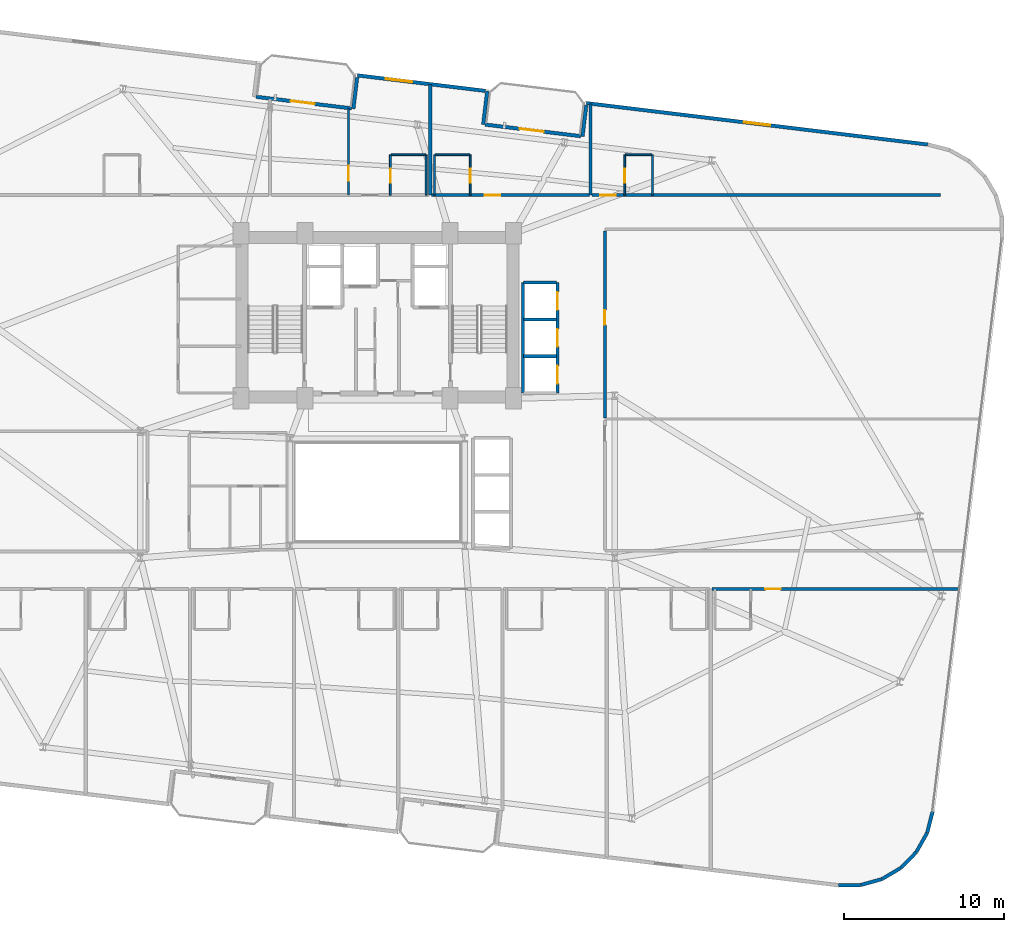
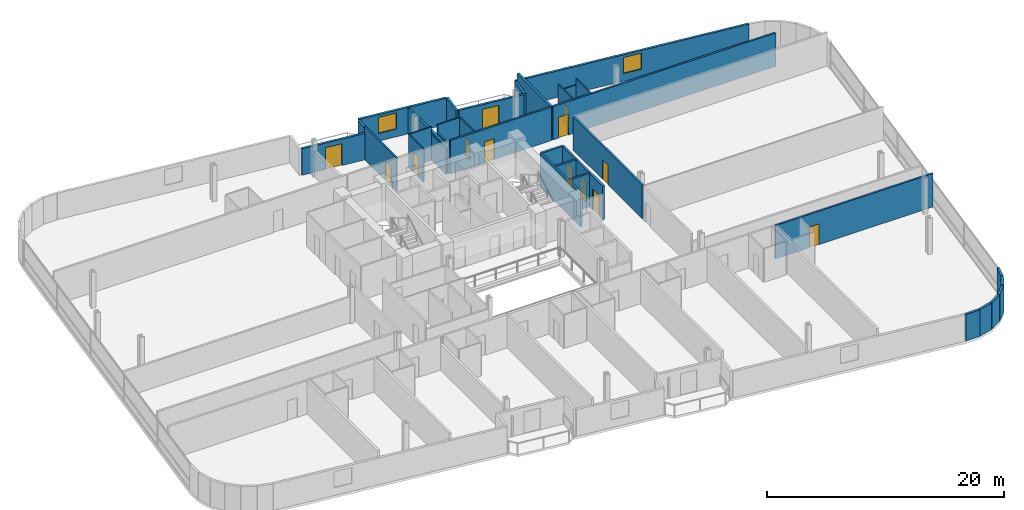
# One storey, part 23 of 26: 34 walls, 13 doors, 2 windows, 15 openings.
"""IFC4 building model written with IfcOpenShell, lengths in metres."""

from ifc_helpers import new_model, si_unit, direction, frame, frame_2d, origin, place, context, subcontext, project, spatial, rectangle, extrude, material, layer, layer_set, type_object, element, fill, save


model = new_model("IFC4")

# Units and contexts
model_context = context("Model", 3, precision=1e-05, world=origin(), true_north=direction((0.0, 1.0)))
body_context = subcontext(model_context, "Body", "Model", "MODEL_VIEW")
ifc_project = project(units=[si_unit("LENGTHUNIT", "METRE"), si_unit("AREAUNIT", "SQUARE_METRE"), si_unit("VOLUMEUNIT", "CUBIC_METRE"), si_unit("PLANEANGLEUNIT", "RADIAN"), si_unit("MASSUNIT", "GRAM", prefix="KILO")], contexts=[model_context])

# Site, building, storey
site_placement = place(None, origin())
site = spatial("IfcSite", under=ifc_project, at=site_placement, CompositionType="ELEMENT")
building_placement = place(site_placement, origin())
building = spatial("IfcBuilding", under=site, at=building_placement, Name="Varnelok Gate Tower", CompositionType="ELEMENT")
storey_placement = place(building_placement, frame((0.0, 0.0, 125.39990234375)))
storey = spatial("IfcBuildingStorey", under=building, at=storey_placement, Name="L31", CompositionType="ELEMENT", Elevation=125.39990234375)

# Wall, opening, door
ifc_material_1 = material(Name="Concrete C45/55", Category="concrete")
ifc_layer_1 = layer(ifc_material_1, 0.219970703125)
ifc_layer_set_1 = layer_set([ifc_layer_1], Name="Concrete C45/55")
wall_type_1 = type_object("IfcWallType", Name="EW-BALC-220", PredefinedType="SOLIDWALL", material=ifc_layer_set_1)
wall_1_placement = place(storey_placement, frame((31.624267578125, 47.5634765625, 0.0), z_axis=(0.0, 0.0, 1.0), x_axis=(0.992729951822, -0.120362962556, 0.0)))
wall_1 = element("IfcWall", 1, at=wall_1_placement, inside=storey, type_object=wall_type_1, Name="L31 North Terrace Envelope Wall 3", PredefinedType="SOLIDWALL", context=body_context, shape_type="SweptSolid", body=[
    extrude(rectangle(XDim=6.0, YDim=0.219970703125, at=frame_2d((3.0, 0.0))), origin(), (0.0, 0.0, 1.0), 2.72998046875),
])
opening_1_placement = place(wall_1_placement, frame((2.176025390625, 0.0, 0.0)))
opening_1 = element("IfcOpeningElement", 2, at=opening_1_placement, cuts=wall_1, Name="Opening BD-1", PredefinedType="OPENING", context=body_context, shape_type="SweptSolid", body=[
    extrude(rectangle(XDim=1.5, YDim=2.25, at=frame_2d((0.75, 1.125))), frame((0.0, 0.119873046875, 0.0), z_axis=(0.0, -1.0, 0.0), x_axis=(1.0, 0.0, 0.0)), (0.0, 0.0, 1.0), 0.239990234375),
])
ifc_material_2 = material(Name="Anodized Aluminum Alloy 6063-T6", Category="aluminium")
door_type_1 = type_object("IfcDoorType", Name="DR-EXT-BALC1500", OperationType="NOTDEFINED", PredefinedType="DOOR", material=ifc_material_2)
door_1_placement = place(opening_1_placement, origin())
door_1 = element("IfcDoor", 3, at=door_1_placement, inside=storey, type_object=door_type_1, Name="L31 North Balcony Glazed Door 3", OperationType="SINGLE_SWING_RIGHT", OverallHeight=2.25, OverallWidth=1.5, PredefinedType="DOOR", context=body_context, shape_type="SweptSolid", body=[
    extrude(rectangle(XDim=1.5, YDim=2.25, at=frame_2d((0.75, 1.125))), frame((0.0, 0.02490234375, 0.0), z_axis=(0.0, -1.0, 0.0), x_axis=(1.0, 0.0, 0.0)), (0.0, 0.0, 1.0), 0.050048828125),
])
fill(opening_1, door_1)

wall_2_placement = place(storey_placement, frame((45.919677734375, 45.83056640625, 0.0), z_axis=(0.0, 0.0, 1.0), x_axis=(0.992729951822, -0.120362962556, 0.0)))
wall_2 = element("IfcWall", 4, at=wall_2_placement, inside=storey, type_object=wall_type_1, Name="L31 North Terrace Envelope Wall 4", PredefinedType="SOLIDWALL", context=body_context, shape_type="SweptSolid", body=[
    extrude(rectangle(XDim=6.0, YDim=0.219970703125, at=frame_2d((3.0, 0.0))), origin(), (0.0, 0.0, 1.0), 2.72998046875),
])
opening_2_placement = place(wall_2_placement, frame((2.176025390625, 0.0, 0.0)))
opening_2 = element("IfcOpeningElement", 5, at=opening_2_placement, cuts=wall_2, Name="Opening BD-1", PredefinedType="OPENING", context=body_context, shape_type="SweptSolid", body=[
    extrude(rectangle(XDim=1.5, YDim=2.25, at=frame_2d((0.75, 1.125))), frame((0.0, 0.119873046875, 0.0), z_axis=(0.0, -1.0, 0.0), x_axis=(1.0, 0.0, 0.0)), (0.0, 0.0, 1.0), 0.239990234375),
])
door_2_placement = place(opening_2_placement, origin())
door_2 = element("IfcDoor", 6, at=door_2_placement, inside=storey, type_object=door_type_1, Name="L31 North Balcony Glazed Door 4", OperationType="SINGLE_SWING_LEFT", OverallHeight=2.25, OverallWidth=1.5, PredefinedType="DOOR", context=body_context, shape_type="SweptSolid", body=[
    extrude(rectangle(XDim=1.5, YDim=2.25, at=frame_2d((0.75, 1.125))), frame((0.0, 0.02490234375, 0.0), z_axis=(0.0, -1.0, 0.0), x_axis=(1.0, 0.0, 0.0)), (0.0, 0.0, 1.0), 0.050048828125),
])
fill(opening_2, door_2)

# Walls
wall_3_placement = place(storey_placement, frame((67.984375, -1.63671875, 0.0), z_axis=(0.0, 0.0, 1.0), x_axis=(0.999945887077, 0.010403024475, 0.0)))
element("IfcWall", 7, at=wall_3_placement, inside=storey, type_object=wall_type_1, Name="L31 Perimeter Facade Closure Wall 14", PredefinedType="SOLIDWALL", context=body_context, shape_type="SweptSolid", body=[
    extrude(rectangle(XDim=1.361083984375, YDim=0.219970703125, at=frame_2d((0.6806640625, 0.0))), origin(), (0.0, 0.0, 1.0), 2.72998046875),
])
wall_4_placement = place(storey_placement, frame((69.369384765625, -1.615966796875, 0.0), z_axis=(0.0, 0.0, 1.0), x_axis=(0.963194128812, 0.268806752562, 0.0)))
element("IfcWall", 8, at=wall_4_placement, inside=storey, type_object=wall_type_1, Name="L31 Perimeter Facade Closure Wall 15", PredefinedType="SOLIDWALL", context=body_context, shape_type="SweptSolid", body=[
    extrude(rectangle(XDim=1.353271484375, YDim=0.219970703125, at=frame_2d((0.6767578125, 0.0))), origin(), (0.0, 0.0, 1.0), 2.72998046875),
])
for number, where, z_axis, x_axis, name in (
    (9, (70.6943359375, -1.239501953125, 0.0), (0.0, 0.0, 1.0), (0.860865455241, 0.508832652228, 0.0), "L31 Perimeter Facade Closure Wall 16"),
    (10, (71.876708984375, -0.533203125, 0.0), (0.0, 0.0, 1.0), (0.69976104234, 0.714376989847, 0.0), "L31 Perimeter Facade Closure Wall 17"),
    (11, (72.835693359375, 0.455078125, 0.0), (0.0, 0.0, 1.0), (0.491117621399, 0.871093268227, 0.0), "L31 Perimeter Facade Closure Wall 18"),
):
    element("IfcWall", number, at=place(storey_placement, frame(where, z_axis=z_axis, x_axis=x_axis)), inside=storey, type_object=wall_type_1, Name=name, PredefinedType="SOLIDWALL", context=body_context, shape_type="SweptSolid", body=[
        extrude(rectangle(XDim=1.35302734375, YDim=0.219970703125, at=frame_2d((0.676513671875, 0.0))), origin(), (0.0, 0.0, 1.0), 2.72998046875),
    ])
wall_5_placement = place(storey_placement, frame((73.506591796875, 1.658203125, 0.0), z_axis=(0.0, 0.0, 1.0), x_axis=(0.248857256909, 0.968540172468, 0.0)))
element("IfcWall", 12, at=wall_5_placement, inside=storey, type_object=wall_type_1, Name="L31 Perimeter Facade Closure Wall 19", PredefinedType="SOLIDWALL", context=body_context, shape_type="SweptSolid", body=[
    extrude(rectangle(XDim=1.352783203125, YDim=0.219970703125, at=frame_2d((0.67626953125, 0.0))), origin(), (0.0, 0.0, 1.0), 2.72998046875),
])

# Wall, opening, window
wall_6_placement = place(storey_placement, frame((73.537841796875, 44.587890625, 0.0), z_axis=(0.0, 0.0, 1.0), x_axis=(-0.992733493583, 0.120333747213, 0.0)))
wall_6 = element("IfcWall", 13, at=wall_6_placement, inside=storey, type_object=wall_type_1, Name="L31 Perimeter Facade Closure Wall 26", PredefinedType="SOLIDWALL", context=body_context, shape_type="SweptSolid", body=[
    extrude(rectangle(XDim=21.447021484375, YDim=0.219970703125, at=frame_2d((10.7236328125, 0.0))), origin(), (0.0, 0.0, 1.0), 2.72998046875),
])
opening_3_placement = place(wall_6_placement, frame((9.898681640625, 0.0, 0.800048828125)))
opening_3 = element("IfcOpeningElement", 14, at=opening_3_placement, cuts=wall_6, Name="Opening WN3", PredefinedType="OPENING", context=body_context, shape_type="SweptSolid", body=[
    extrude(rectangle(XDim=1.64990234375, YDim=1.64990234375, at=frame_2d((0.824951171875, 0.824951171875))), frame((0.0, 0.119873046875, 0.0), z_axis=(0.0, -1.0, 0.0), x_axis=(1.0, 0.0, 0.0)), (0.0, 0.0, 1.0), 0.239990234375),
])
ifc_material_3 = material(Name="Low-E Laminated Double Glazing IGU", Category="glass")
window_type = type_object("IfcWindowType", Name="WN-HTL-1650", PartitioningType="SINGLE_PANEL", PredefinedType="WINDOW", material=ifc_material_3)
window_1_placement = place(opening_3_placement, origin())
window_1 = element("IfcWindow", 15, at=window_1_placement, inside=storey, type_object=window_type, Name="L31 Perimeter Vision Window 26", OverallHeight=1.64990234375, OverallWidth=1.64990234375, PartitioningType="SINGLE_PANEL", PredefinedType="WINDOW", context=body_context, shape_type="SweptSolid", body=[
    extrude(rectangle(XDim=1.64990234375, YDim=1.64990234375, at=frame_2d((0.824951171875, 0.824951171875))), frame((0.0, 0.030029296875, 0.0), z_axis=(0.0, -1.0, 0.0), x_axis=(1.0, 0.0, 0.0)), (0.0, 0.0, 1.0), 0.06005859375),
])
fill(opening_3, window_1)

# Walls
wall_7_placement = place(storey_placement, frame((52.2314453125, 47.044677734375, 0.0), z_axis=(0.0, 0.0, 1.0), x_axis=(-0.120275992932, -0.992740492538, 0.0)))
element("IfcWall", 16, at=wall_7_placement, inside=storey, type_object=wall_type_1, Name="L31 Perimeter Facade Closure Wall 27", PredefinedType="SOLIDWALL", context=body_context, shape_type="SweptSolid", body=[
    extrude(rectangle(XDim=1.97509765625, YDim=0.219970703125, at=frame_2d((0.987548828125, 0.0))), origin(), (0.0, 0.0, 1.0), 2.72998046875),
])
wall_8_placement = place(storey_placement, frame((45.79931640625, 45.8349609375, 0.0), z_axis=(0.0, 0.0, 1.0), x_axis=(0.120314009587, 0.992735885871, 0.0)))
element("IfcWall", 17, at=wall_8_placement, inside=storey, type_object=wall_type_1, Name="L31 Perimeter Facade Closure Wall 28", PredefinedType="SOLIDWALL", context=body_context, shape_type="SweptSolid", body=[
    extrude(rectangle(XDim=2.10009765625, YDim=0.219970703125, at=frame_2d((1.050048828125, 0.0))), origin(), (0.0, 0.0, 1.0), 2.72998046875),
])

# Wall, opening, window
wall_9_placement = place(storey_placement, frame((45.927734375, 47.934814453125, 0.0), z_axis=(0.0, 0.0, 1.0), x_axis=(-0.992730591876, 0.120357683402, 0.0)))
wall_9 = element("IfcWall", 18, at=wall_9_placement, inside=storey, type_object=wall_type_1, Name="L31 Perimeter Facade Closure Wall 29", PredefinedType="SOLIDWALL", context=body_context, shape_type="SweptSolid", body=[
    extrude(rectangle(XDim=8.03466796875, YDim=0.219970703125, at=frame_2d((4.017333984375, 0.0))), origin(), (0.0, 0.0, 1.0), 2.72998046875),
])
opening_4_placement = place(wall_9_placement, frame((4.59716796875, 0.0, 0.800048828125)))
opening_4 = element("IfcOpeningElement", 19, at=opening_4_placement, cuts=wall_9, Name="Opening WN3", PredefinedType="OPENING", context=body_context, shape_type="SweptSolid", body=[
    extrude(rectangle(XDim=1.64990234375, YDim=1.64990234375, at=frame_2d((0.824951171875, 0.824951171875))), frame((0.0, 0.119873046875, 0.0), z_axis=(0.0, -1.0, 0.0), x_axis=(1.0, 0.0, 0.0)), (0.0, 0.0, 1.0), 0.239990234375),
])
window_2_placement = place(opening_4_placement, origin())
window_2 = element("IfcWindow", 20, at=window_2_placement, inside=storey, type_object=window_type, Name="L31 Perimeter Vision Window 29", OverallHeight=1.64990234375, OverallWidth=1.64990234375, PartitioningType="SINGLE_PANEL", PredefinedType="WINDOW", context=body_context, shape_type="SweptSolid", body=[
    extrude(rectangle(XDim=1.64990234375, YDim=1.64990234375, at=frame_2d((0.824951171875, 0.824951171875))), frame((0.0, 0.030029296875, 0.0), z_axis=(0.0, -1.0, 0.0), x_axis=(1.0, 0.0, 0.0)), (0.0, 0.0, 1.0), 0.06005859375),
])
fill(opening_4, window_2)

# Wall
wall_10_placement = place(storey_placement, frame((37.936279296875, 48.777587890625, 0.0), z_axis=(0.0, 0.0, 1.0), x_axis=(-0.120397815541, -0.992725725472, 0.0)))
element("IfcWall", 21, at=wall_10_placement, inside=storey, type_object=wall_type_1, Name="L31 Perimeter Facade Closure Wall 30", PredefinedType="SOLIDWALL", context=body_context, shape_type="SweptSolid", body=[
    extrude(rectangle(XDim=1.97509765625, YDim=0.219970703125, at=frame_2d((0.987548828125, 0.0))), origin(), (0.0, 0.0, 1.0), 2.72998046875),
])

# Wall, opening, door
ifc_material_4 = material(Name="Gypsum Plasterboard Acoustic Partition", Category="gypsum")
ifc_layer_2 = layer(ifc_material_4, 0.179931640625)
ifc_layer_set_2 = layer_set([ifc_layer_2], Name="Gypsum Plasterboard Acoustic Partition")
wall_type_2 = type_object("IfcWallType", Name="PW-CORR-180", PredefinedType="PARTITIONING", material=ifc_layer_set_2)
wall_11_placement = place(storey_placement, frame((60.080078125, 16.85009765625, 0.0), z_axis=(0.0, 0.0, 1.0), x_axis=(1.0, 0.0, 0.0)))
wall_11 = element("IfcWall", 22, at=wall_11_placement, inside=storey, type_object=wall_type_2, Name="Interior Partition", PredefinedType="PARTITIONING", context=body_context, shape_type="SweptSolid", body=[
    extrude(rectangle(XDim=15.38671875, YDim=0.179931640625, at=frame_2d((7.693359375, 0.0))), origin(), (0.0, 0.0, 1.0), 3.4501953125),
])
opening_5_placement = place(wall_11_placement, frame((3.32470703125, 0.0, 0.0)))
opening_5 = element("IfcOpeningElement", 23, at=opening_5_placement, cuts=wall_11, Name="Opening D-HT", PredefinedType="OPENING", context=body_context, shape_type="SweptSolid", body=[
    extrude(rectangle(XDim=0.949951171875, YDim=2.14990234375, at=frame_2d((0.47509765625, 1.074951171875))), frame((0.0, 0.099853515625, 0.0), z_axis=(0.0, -1.0, 0.0), x_axis=(1.0, 0.0, 0.0)), (0.0, 0.0, 1.0), 0.199951171875),
])
ifc_material_5 = material(Name="Engineered Hardwood Timber", Category="wood")
door_type_2 = type_object("IfcDoorType", Name="DR-HTL-950", OperationType="NOTDEFINED", PredefinedType="DOOR", material=ifc_material_5)
door_3_placement = place(opening_5_placement, origin())
door_3 = element("IfcDoor", 24, at=door_3_placement, inside=storey, type_object=door_type_2, Name="L31 Guest Room 09 Entrance Door", OperationType="SINGLE_SWING_RIGHT", OverallHeight=2.14990234375, OverallWidth=0.949951171875, PredefinedType="DOOR", context=body_context, shape_type="SweptSolid", body=[
    extrude(rectangle(XDim=0.949951171875, YDim=2.14990234375, at=frame_2d((0.47509765625, 1.074951171875))), frame((0.0, 0.02490234375, 0.0), z_axis=(0.0, -1.0, 0.0), x_axis=(1.0, 0.0, 0.0)), (0.0, 0.0, 1.0), 0.050048828125),
])
fill(opening_5, door_3)

wall_12_placement = place(storey_placement, frame((42.580078125, 41.429931640625, 0.0), z_axis=(0.0, 0.0, 1.0), x_axis=(1.0, 0.0, 0.0)))
wall_12 = element("IfcWall", 25, at=wall_12_placement, inside=storey, type_object=wall_type_2, Name="Interior Partition", PredefinedType="PARTITIONING", context=body_context, shape_type="SweptSolid", body=[
    extrude(rectangle(XDim=9.83984375, YDim=0.179931640625, at=frame_2d((4.919921875, 0.0))), origin(), (0.0, 0.0, 1.0), 3.4501953125),
])
opening_6_placement = place(wall_12_placement, frame((3.322998046875, 0.0, 0.0)))
opening_6 = element("IfcOpeningElement", 26, at=opening_6_placement, cuts=wall_12, Name="Opening D-HT", PredefinedType="OPENING", context=body_context, shape_type="SweptSolid", body=[
    extrude(rectangle(XDim=0.949951171875, YDim=2.14990234375, at=frame_2d((0.47509765625, 1.074951171875))), frame((0.0, 0.099853515625, 0.0), z_axis=(0.0, -1.0, 0.0), x_axis=(1.0, 0.0, 0.0)), (0.0, 0.0, 1.0), 0.199951171875),
])
door_4_placement = place(opening_6_placement, origin())
door_4 = element("IfcDoor", 27, at=door_4_placement, inside=storey, type_object=door_type_2, Name="L31 Guest Room 12 Entrance Door", OperationType="SINGLE_SWING_LEFT", OverallHeight=2.14990234375, OverallWidth=0.949951171875, PredefinedType="DOOR", context=body_context, shape_type="SweptSolid", body=[
    extrude(rectangle(XDim=0.949951171875, YDim=2.14990234375, at=frame_2d((0.47509765625, 1.074951171875))), frame((0.0, 0.02490234375, 0.0), z_axis=(0.0, -1.0, 0.0), x_axis=(1.0, 0.0, 0.0)), (0.0, 0.0, 1.0), 0.050048828125),
])
fill(opening_6, door_4)

wall_13_placement = place(storey_placement, frame((52.580078125, 41.429931640625, 0.0), z_axis=(0.0, 0.0, 1.0), x_axis=(1.0, 0.0, 0.0)))
wall_13 = element("IfcWall", 28, at=wall_13_placement, inside=storey, type_object=wall_type_2, Name="Interior Partition", PredefinedType="PARTITIONING", context=body_context, shape_type="SweptSolid", body=[
    extrude(rectangle(XDim=21.739990234375, YDim=0.179931640625, at=frame_2d((10.8701171875, 0.0))), origin(), (0.0, 0.0, 1.0), 3.4501953125),
])
opening_7_placement = place(wall_13_placement, frame((0.529052734375, 0.0, 0.0)))
opening_7 = element("IfcOpeningElement", 29, at=opening_7_placement, cuts=wall_13, Name="Opening D-HT", PredefinedType="OPENING", context=body_context, shape_type="SweptSolid", body=[
    extrude(rectangle(XDim=0.949951171875, YDim=2.14990234375, at=frame_2d((0.47509765625, 1.074951171875))), frame((0.0, 0.099853515625, 0.0), z_axis=(0.0, -1.0, 0.0), x_axis=(1.0, 0.0, 0.0)), (0.0, 0.0, 1.0), 0.199951171875),
])
door_5_placement = place(opening_7_placement, origin())
door_5 = element("IfcDoor", 30, at=door_5_placement, inside=storey, type_object=door_type_2, Name="L31 Guest Room 13 Entrance Door", OperationType="SINGLE_SWING_RIGHT", OverallHeight=2.14990234375, OverallWidth=0.949951171875, PredefinedType="DOOR", context=body_context, shape_type="SweptSolid", body=[
    extrude(rectangle(XDim=0.949951171875, YDim=2.14990234375, at=frame_2d((0.47509765625, 1.074951171875))), frame((0.0, 0.02490234375, 0.0), z_axis=(0.0, -1.0, 0.0), x_axis=(1.0, 0.0, 0.0)), (0.0, 0.0, 1.0), 0.050048828125),
])
fill(opening_7, door_5)

wall_14_placement = place(storey_placement, frame((53.389892578125, 27.530029296875, 0.0), z_axis=(0.0, 0.0, 1.0), x_axis=(0.0, 1.0, 0.0)))
wall_14 = element("IfcWall", 31, at=wall_14_placement, inside=storey, type_object=wall_type_2, Name="Interior Partition", PredefinedType="PARTITIONING", context=body_context, shape_type="SweptSolid", body=[
    extrude(rectangle(XDim=11.669921875, YDim=0.179931640625, at=frame_2d((5.8349609375, 0.0))), origin(), (0.0, 0.0, 1.0), 3.4501953125),
])
opening_8_placement = place(wall_14_placement, frame((5.800048828125, 0.0, 0.0)))
opening_8 = element("IfcOpeningElement", 32, at=opening_8_placement, cuts=wall_14, Name="Opening D-I3", PredefinedType="OPENING", context=body_context, shape_type="SweptSolid", body=[
    extrude(rectangle(XDim=0.919921875, YDim=2.050048828125, at=frame_2d((0.4599609375, 1.02490234375))), frame((0.0, 0.099853515625, 0.0), z_axis=(0.0, -1.0, 0.0), x_axis=(1.0, 0.0, 0.0)), (0.0, 0.0, 1.0), 0.199951171875),
])
door_type_3 = type_object("IfcDoorType", Name="DR-INT-920", OperationType="NOTDEFINED", PredefinedType="DOOR", material=ifc_material_5)
door_6_placement = place(opening_8_placement, origin())
door_6 = element("IfcDoor", 33, at=door_6_placement, inside=storey, type_object=door_type_3, Name="L31 East Suite 2 Door", OperationType="SINGLE_SWING_RIGHT", OverallHeight=2.050048828125, OverallWidth=0.919921875, PredefinedType="DOOR", context=body_context, shape_type="SweptSolid", body=[
    extrude(rectangle(XDim=0.919921875, YDim=2.050048828125, at=frame_2d((0.4599609375, 1.02490234375))), frame((0.0, 0.02490234375, 0.0), z_axis=(0.0, -1.0, 0.0), x_axis=(1.0, 0.0, 0.0)), (0.0, 0.0, 1.0), 0.050048828125),
])
fill(opening_8, door_6)

# Wall
ifc_layer_3 = layer(ifc_material_4, 0.114990234375)
ifc_layer_set_3 = layer_set([ifc_layer_3], Name="Gypsum Plasterboard Acoustic Partition")
wall_type_3 = type_object("IfcWallType", Name="PW-ENS-125", PredefinedType="PARTITIONING", material=ifc_layer_set_3)
wall_15_placement = place(storey_placement, frame((40.050048828125, 43.949951171875, 0.0), z_axis=(0.0, 0.0, 1.0), x_axis=(1.0, 0.0, 0.0)))
element("IfcWall", 34, at=wall_15_placement, inside=storey, type_object=wall_type_3, Name="Interior Partition", PredefinedType="PARTITIONING", context=body_context, shape_type="SweptSolid", body=[
    extrude(rectangle(XDim=2.14990234375, YDim=0.114990234375, at=frame_2d((1.074951171875, 0.0))), origin(), (0.0, 0.0, 1.0), 3.4501953125),
])

# Wall, opening, door
wall_16_placement = place(storey_placement, frame((40.010009765625, 41.429931640625, 0.0), z_axis=(0.0, 0.0, 1.0), x_axis=(0.0, 1.0, 0.0)))
wall_16 = element("IfcWall", 35, at=wall_16_placement, inside=storey, type_object=wall_type_3, Name="Interior Partition", PredefinedType="PARTITIONING", context=body_context, shape_type="SweptSolid", body=[
    extrude(rectangle(XDim=2.52001953125, YDim=0.114990234375, at=frame_2d((1.260009765625, 0.0))), origin(), (0.0, 0.0, 1.0), 3.4501953125),
])
opening_9_placement = place(wall_16_placement, frame((0.760009765625, 0.0, 0.0)))
opening_9 = element("IfcOpeningElement", 36, at=opening_9_placement, cuts=wall_16, Name="Opening D-WC", PredefinedType="OPENING", context=body_context, shape_type="SweptSolid", body=[
    extrude(rectangle(XDim=0.89990234375, YDim=2.050048828125, at=frame_2d((0.449951171875, 1.02490234375))), frame((0.0, 0.0673828125, 0.0), z_axis=(0.0, -1.0, 0.0), x_axis=(1.0, 0.0, 0.0)), (0.0, 0.0, 1.0), 0.135009765625),
])
door_type_4 = type_object("IfcDoorType", Name="DR-BATH-900", OperationType="NOTDEFINED", PredefinedType="DOOR", material=ifc_material_5)
door_7_placement = place(opening_9_placement, origin())
door_7 = element("IfcDoor", 37, at=door_7_placement, inside=storey, type_object=door_type_4, Name="L31 North En-Suite 11 Door", OperationType="SINGLE_SWING_LEFT", OverallHeight=2.050048828125, OverallWidth=0.89990234375, PredefinedType="DOOR", context=body_context, shape_type="SweptSolid", body=[
    extrude(rectangle(XDim=0.89990234375, YDim=2.050048828125, at=frame_2d((0.449951171875, 1.02490234375))), frame((0.0, 0.02490234375, 0.0), z_axis=(0.0, -1.0, 0.0), x_axis=(1.0, 0.0, 0.0)), (0.0, 0.0, 1.0), 0.050048828125),
])
fill(opening_9, door_7)

# Walls
wall_17_placement = place(storey_placement, frame((42.239990234375, 41.429931640625, 0.0), z_axis=(0.0, 0.0, 1.0), x_axis=(0.0, 1.0, 0.0)))
element("IfcWall", 38, at=wall_17_placement, inside=storey, type_object=wall_type_3, Name="Interior Partition", PredefinedType="PARTITIONING", context=body_context, shape_type="SweptSolid", body=[
    extrude(rectangle(XDim=2.52001953125, YDim=0.114990234375, at=frame_2d((1.260009765625, 0.0))), origin(), (0.0, 0.0, 1.0), 2.662109375),
])
wall_18_placement = place(storey_placement, frame((42.800048828125, 43.949951171875, 0.0), z_axis=(0.0, 0.0, 1.0), x_axis=(1.0, 0.0, 0.0)))
element("IfcWall", 39, at=wall_18_placement, inside=storey, type_object=wall_type_3, Name="Interior Partition", PredefinedType="PARTITIONING", context=body_context, shape_type="SweptSolid", body=[
    extrude(rectangle(XDim=2.14990234375, YDim=0.114990234375, at=frame_2d((1.074951171875, 0.0))), origin(), (0.0, 0.0, 1.0), 3.4501953125),
])

# Wall, opening, door
wall_19_placement = place(storey_placement, frame((44.989990234375, 41.429931640625, 0.0), z_axis=(0.0, 0.0, 1.0), x_axis=(0.0, 1.0, 0.0)))
wall_19 = element("IfcWall", 40, at=wall_19_placement, inside=storey, type_object=wall_type_3, Name="Interior Partition", PredefinedType="PARTITIONING", context=body_context, shape_type="SweptSolid", body=[
    extrude(rectangle(XDim=2.52001953125, YDim=0.114990234375, at=frame_2d((1.260009765625, 0.0))), origin(), (0.0, 0.0, 1.0), 3.4501953125),
])
opening_10_placement = place(wall_19_placement, frame((0.760009765625, 0.0, 0.0)))
opening_10 = element("IfcOpeningElement", 41, at=opening_10_placement, cuts=wall_19, Name="Opening D-WC", PredefinedType="OPENING", context=body_context, shape_type="SweptSolid", body=[
    extrude(rectangle(XDim=0.89990234375, YDim=2.050048828125, at=frame_2d((0.449951171875, 1.02490234375))), frame((0.0, 0.0673828125, 0.0), z_axis=(0.0, -1.0, 0.0), x_axis=(1.0, 0.0, 0.0)), (0.0, 0.0, 1.0), 0.135009765625),
])
door_8_placement = place(opening_10_placement, origin())
door_8 = element("IfcDoor", 42, at=door_8_placement, inside=storey, type_object=door_type_4, Name="L31 North En-Suite 12 Door", OperationType="SINGLE_SWING_RIGHT", OverallHeight=2.050048828125, OverallWidth=0.89990234375, PredefinedType="DOOR", context=body_context, shape_type="SweptSolid", body=[
    extrude(rectangle(XDim=0.89990234375, YDim=2.050048828125, at=frame_2d((0.449951171875, 1.02490234375))), frame((0.0, 0.02490234375, 0.0), z_axis=(0.0, -1.0, 0.0), x_axis=(1.0, 0.0, 0.0)), (0.0, 0.0, 1.0), 0.050048828125),
])
fill(opening_10, door_8)

# Walls
wall_20_placement = place(storey_placement, frame((42.760009765625, 41.429931640625, 0.0), z_axis=(0.0, 0.0, 1.0), x_axis=(0.0, 1.0, 0.0)))
element("IfcWall", 43, at=wall_20_placement, inside=storey, type_object=wall_type_3, Name="Interior Partition", PredefinedType="PARTITIONING", context=body_context, shape_type="SweptSolid", body=[
    extrude(rectangle(XDim=2.52001953125, YDim=0.114990234375, at=frame_2d((1.260009765625, 0.0))), origin(), (0.0, 0.0, 1.0), 2.662109375),
])
wall_21_placement = place(storey_placement, frame((54.669921875, 43.949951171875, 0.0), z_axis=(0.0, 0.0, 1.0), x_axis=(1.0, 0.0, 0.0)))
element("IfcWall", 44, at=wall_21_placement, inside=storey, type_object=wall_type_3, Name="Interior Partition", PredefinedType="PARTITIONING", context=body_context, shape_type="SweptSolid", body=[
    extrude(rectangle(XDim=1.650146484375, YDim=0.114990234375, at=frame_2d((0.8251953125, 0.0))), origin(), (0.0, 0.0, 1.0), 2.82421875),
])

# Wall, opening, door
wall_22_placement = place(storey_placement, frame((54.6298828125, 41.429931640625, 0.0), z_axis=(0.0, 0.0, 1.0), x_axis=(0.0, 1.0, 0.0)))
wall_22 = element("IfcWall", 45, at=wall_22_placement, inside=storey, type_object=wall_type_3, Name="Interior Partition", PredefinedType="PARTITIONING", context=body_context, shape_type="SweptSolid", body=[
    extrude(rectangle(XDim=2.52001953125, YDim=0.114990234375, at=frame_2d((1.260009765625, 0.0))), origin(), (0.0, 0.0, 1.0), 3.4501953125),
])
opening_11_placement = place(wall_22_placement, frame((0.760009765625, 0.0, 0.0)))
opening_11 = element("IfcOpeningElement", 46, at=opening_11_placement, cuts=wall_22, Name="Opening D-WC", PredefinedType="OPENING", context=body_context, shape_type="SweptSolid", body=[
    extrude(rectangle(XDim=0.89990234375, YDim=2.050048828125, at=frame_2d((0.449951171875, 1.02490234375))), frame((0.0, 0.0673828125, 0.0), z_axis=(0.0, -1.0, 0.0), x_axis=(1.0, 0.0, 0.0)), (0.0, 0.0, 1.0), 0.135009765625),
])
door_9_placement = place(opening_11_placement, origin())
door_9 = element("IfcDoor", 47, at=door_9_placement, inside=storey, type_object=door_type_4, Name="L31 North En-Suite 13 Door", OperationType="SINGLE_SWING_LEFT", OverallHeight=2.050048828125, OverallWidth=0.89990234375, PredefinedType="DOOR", context=body_context, shape_type="SweptSolid", body=[
    extrude(rectangle(XDim=0.89990234375, YDim=2.050048828125, at=frame_2d((0.449951171875, 1.02490234375))), frame((0.0, 0.02490234375, 0.0), z_axis=(0.0, -1.0, 0.0), x_axis=(1.0, 0.0, 0.0)), (0.0, 0.0, 1.0), 0.050048828125),
])
fill(opening_11, door_9)

# Wall
wall_23_placement = place(storey_placement, frame((56.360107421875, 41.429931640625, 0.0), z_axis=(0.0, 0.0, 1.0), x_axis=(0.0, 1.0, 0.0)))
element("IfcWall", 48, at=wall_23_placement, inside=storey, type_object=wall_type_3, Name="Interior Partition", PredefinedType="PARTITIONING", context=body_context, shape_type="SweptSolid", body=[
    extrude(rectangle(XDim=2.52001953125, YDim=0.114990234375, at=frame_2d((1.260009765625, 0.0))), origin(), (0.0, 0.0, 1.0), 3.4501953125),
])

# Wall, opening, door
ifc_layer_4 = layer(ifc_material_4, 0.125)
ifc_layer_set_4 = layer_set([ifc_layer_4], Name="Gypsum Plasterboard Acoustic Partition")
wall_type_4 = type_object("IfcWallType", Name="PW-PART-125", PredefinedType="PARTITIONING", material=ifc_layer_set_4)
wall_24_placement = place(storey_placement, frame((37.39990234375, 41.429931640625, 0.0), z_axis=(0.0, 0.0, 1.0), x_axis=(0.0, 1.0, 0.0)))
wall_24 = element("IfcWall", 49, at=wall_24_placement, inside=storey, type_object=wall_type_4, Name="Interior Partition", PredefinedType="PARTITIONING", context=body_context, shape_type="SweptSolid", body=[
    extrude(rectangle(XDim=5.403076171875, YDim=0.125, at=frame_2d((2.70166015625, 0.0))), origin(), (0.0, 0.0, 1.0), 3.4501953125),
])
opening_12_placement = place(wall_24_placement, frame((0.897216796875, 0.0, 0.0)))
opening_12 = element("IfcOpeningElement", 50, at=opening_12_placement, cuts=wall_24, Name="Opening D-I3", PredefinedType="OPENING", context=body_context, shape_type="SweptSolid", body=[
    extrude(rectangle(XDim=0.919921875, YDim=2.050048828125, at=frame_2d((0.4599609375, 1.02490234375))), frame((0.0, 0.072509765625, 0.0), z_axis=(0.0, -1.0, 0.0), x_axis=(1.0, 0.0, 0.0)), (0.0, 0.0, 1.0), 0.14501953125),
])
door_10_placement = place(opening_12_placement, origin())
door_10 = element("IfcDoor", 51, at=door_10_placement, inside=storey, type_object=door_type_3, Name="L31 Suite Bedroom Door 11", OperationType="SINGLE_SWING_LEFT", OverallHeight=2.050048828125, OverallWidth=0.919921875, PredefinedType="DOOR", context=body_context, shape_type="SweptSolid", body=[
    extrude(rectangle(XDim=0.919921875, YDim=2.050048828125, at=frame_2d((0.4599609375, 1.02490234375))), frame((0.0, 0.02490234375, 0.0), z_axis=(0.0, -1.0, 0.0), x_axis=(1.0, 0.0, 0.0)), (0.0, 0.0, 1.0), 0.050048828125),
])
fill(opening_12, door_10)

# Walls
ifc_layer_5 = layer(ifc_material_4, 0.205078125)
ifc_layer_set_5 = layer_set([ifc_layer_5], Name="Gypsum Plasterboard Acoustic Partition")
wall_type_5 = type_object("IfcWallType", Name="PW-PARTY-200", PredefinedType="PARTITIONING", material=ifc_layer_set_5)
wall_25_placement = place(storey_placement, frame((42.5, 41.429931640625, 0.0), z_axis=(0.0, 0.0, 1.0), x_axis=(0.0, 1.0, 0.0)))
element("IfcWall", 52, at=wall_25_placement, inside=storey, type_object=wall_type_5, Name="L31 North Party Wall 2", PredefinedType="PARTITIONING", context=body_context, shape_type="SweptSolid", body=[
    extrude(rectangle(XDim=6.900390625, YDim=0.205078125, at=frame_2d((3.4501953125, 0.0))), origin(), (0.0, 0.0, 1.0), 2.662109375),
])
wall_26_placement = place(storey_placement, frame((52.5, 41.429931640625, 0.0), z_axis=(0.0, 0.0, 1.0), x_axis=(0.0, 1.0, 0.0)))
element("IfcWall", 53, at=wall_26_placement, inside=storey, type_object=wall_type_5, Name="L31 North Party Wall 3", PredefinedType="PARTITIONING", context=body_context, shape_type="SweptSolid", body=[
    extrude(rectangle(XDim=5.68798828125, YDim=0.205078125, at=frame_2d((2.843994140625, 0.0))), origin(), (0.0, 0.0, 1.0), 3.4501953125),
])
ifc_material_6 = material(Name="Concrete C35/45", Category="concrete")
ifc_layer_6 = layer(ifc_material_6, 0.199951171875)
ifc_layer_set_6 = layer_set([ifc_layer_6], Name="Concrete C35/45")
wall_type_6 = type_object("IfcWallType", Name="PW-SHAFT-200", PredefinedType="PARTITIONING", material=ifc_layer_set_6)
for number, where, z_axis, x_axis, name in (
    (54, (48.320068359375, 31.375, 0.0), (0.0, 0.0, 1.0), (1.0, 0.0, 0.0), "L31 PM1 Divider"),
    (55, (48.320068359375, 33.675048828125, 0.0), (0.0, 0.0, 1.0), (1.0, 0.0, 0.0), "L31 PM2 Divider"),
    (56, (48.320068359375, 35.969970703125, 0.0), (0.0, 0.0, 1.0), (1.0, 0.0, 0.0), "L31 PM Bank North Wall"),
):
    element("IfcWall", number, at=place(storey_placement, frame(where, z_axis=z_axis, x_axis=x_axis)), inside=storey, type_object=wall_type_6, Name=name, PredefinedType="PARTITIONING", context=body_context, shape_type="SweptSolid", body=[
        extrude(rectangle(XDim=2.059814453125, YDim=0.199951171875, at=frame_2d((1.02978515625, 0.0))), origin(), (0.0, 0.0, 1.0), 3.4501953125),
    ])
wall_27_placement = place(storey_placement, frame((48.280029296875, 29.080078125, 0.0), z_axis=(0.0, 0.0, 1.0), x_axis=(0.0, 1.0, 0.0)))
element("IfcWall", 57, at=wall_27_placement, inside=storey, type_object=wall_type_6, Name="L31 PM Bank Back Wall", PredefinedType="PARTITIONING", context=body_context, shape_type="SweptSolid", body=[
    extrude(rectangle(XDim=6.889892578125, YDim=0.199951171875, at=frame_2d((3.44482421875, 0.0))), origin(), (0.0, 0.0, 1.0), 3.4501953125),
])

# Wall, openings, doors
wall_28_placement = place(storey_placement, frame((50.43994140625, 29.080078125, 0.0), z_axis=(0.0, 0.0, 1.0), x_axis=(0.0, 1.0, 0.0)))
wall_28 = element("IfcWall", 58, at=wall_28_placement, inside=storey, type_object=wall_type_6, Name="L31 PM Bank Front Wall", PredefinedType="PARTITIONING", context=body_context, shape_type="SweptSolid", body=[
    extrude(rectangle(XDim=6.889892578125, YDim=0.199951171875, at=frame_2d((3.44482421875, 0.0))), origin(), (0.0, 0.0, 1.0), 3.4501953125),
])
opening_13_placement = place(wall_28_placement, frame((0.590087890625, 0.0, 0.0)))
opening_13 = element("IfcOpeningElement", 59, at=opening_13_placement, cuts=wall_28, Name="Opening LD-PM1", PredefinedType="OPENING", context=body_context, shape_type="SweptSolid", body=[
    extrude(rectangle(XDim=1.10009765625, YDim=2.14990234375, at=frame_2d((0.550048828125, 1.074951171875))), frame((0.0, 0.10986328125, 0.0), z_axis=(0.0, -1.0, 0.0), x_axis=(1.0, 0.0, 0.0)), (0.0, 0.0, 1.0), 0.219970703125),
])
opening_14_placement = place(wall_28_placement, frame((2.889892578125, 0.0, 0.0)))
opening_14 = element("IfcOpeningElement", 60, at=opening_14_placement, cuts=wall_28, Name="Opening LD-PM2", PredefinedType="OPENING", context=body_context, shape_type="SweptSolid", body=[
    extrude(rectangle(XDim=1.10009765625, YDim=2.14990234375, at=frame_2d((0.550048828125, 1.074951171875))), frame((0.0, 0.10986328125, 0.0), z_axis=(0.0, -1.0, 0.0), x_axis=(1.0, 0.0, 0.0)), (0.0, 0.0, 1.0), 0.219970703125),
])
opening_15_placement = place(wall_28_placement, frame((5.18994140625, 0.0, 0.0)))
opening_15 = element("IfcOpeningElement", 61, at=opening_15_placement, cuts=wall_28, Name="Opening LD-PM3", PredefinedType="OPENING", context=body_context, shape_type="SweptSolid", body=[
    extrude(rectangle(XDim=1.10009765625, YDim=2.14990234375, at=frame_2d((0.550048828125, 1.074951171875))), frame((0.0, 0.10986328125, 0.0), z_axis=(0.0, -1.0, 0.0), x_axis=(1.0, 0.0, 0.0)), (0.0, 0.0, 1.0), 0.219970703125),
])
ifc_material_7 = material(Name="Galvanized Steel Grade S350GD", Category="steel")
door_type_5 = type_object("IfcDoorType", Name="DR-LIFT-PAX1100", OperationType="SLIDING_TO_LEFT", PredefinedType="DOOR", material=ifc_material_7)
door_11_placement = place(opening_13_placement, origin())
door_11 = element("IfcDoor", 62, at=door_11_placement, inside=storey, type_object=door_type_5, Name="L31 Passenger Lift Landing Door LD-PM1", OperationType="SLIDING_TO_LEFT", OverallHeight=2.14990234375, OverallWidth=1.10009765625, PredefinedType="DOOR", context=body_context, shape_type="SweptSolid", body=[
    extrude(rectangle(XDim=1.10009765625, YDim=2.14990234375, at=frame_2d((0.550048828125, 1.074951171875))), frame((0.0, 0.02490234375, 0.0), z_axis=(0.0, -1.0, 0.0), x_axis=(1.0, 0.0, 0.0)), (0.0, 0.0, 1.0), 0.050048828125),
])
fill(opening_13, door_11)
door_12_placement = place(opening_14_placement, origin())
door_12 = element("IfcDoor", 63, at=door_12_placement, inside=storey, type_object=door_type_5, Name="L31 Passenger Lift Landing Door LD-PM2", OperationType="SLIDING_TO_LEFT", OverallHeight=2.14990234375, OverallWidth=1.10009765625, PredefinedType="DOOR", context=body_context, shape_type="SweptSolid", body=[
    extrude(rectangle(XDim=1.10009765625, YDim=2.14990234375, at=frame_2d((0.550048828125, 1.074951171875))), frame((0.0, 0.02490234375, 0.0), z_axis=(0.0, -1.0, 0.0), x_axis=(1.0, 0.0, 0.0)), (0.0, 0.0, 1.0), 0.050048828125),
])
fill(opening_14, door_12)
door_13_placement = place(opening_15_placement, origin())
door_13 = element("IfcDoor", 64, at=door_13_placement, inside=storey, type_object=door_type_5, Name="L31 Passenger Lift Landing Door LD-PM3", OperationType="SLIDING_TO_LEFT", OverallHeight=2.14990234375, OverallWidth=1.10009765625, PredefinedType="DOOR", context=body_context, shape_type="SweptSolid", body=[
    extrude(rectangle(XDim=1.10009765625, YDim=2.14990234375, at=frame_2d((0.550048828125, 1.074951171875))), frame((0.0, 0.02490234375, 0.0), z_axis=(0.0, -1.0, 0.0), x_axis=(1.0, 0.0, 0.0)), (0.0, 0.0, 1.0), 0.050048828125),
])
fill(opening_15, door_13)

save(model, "model.ifc")
